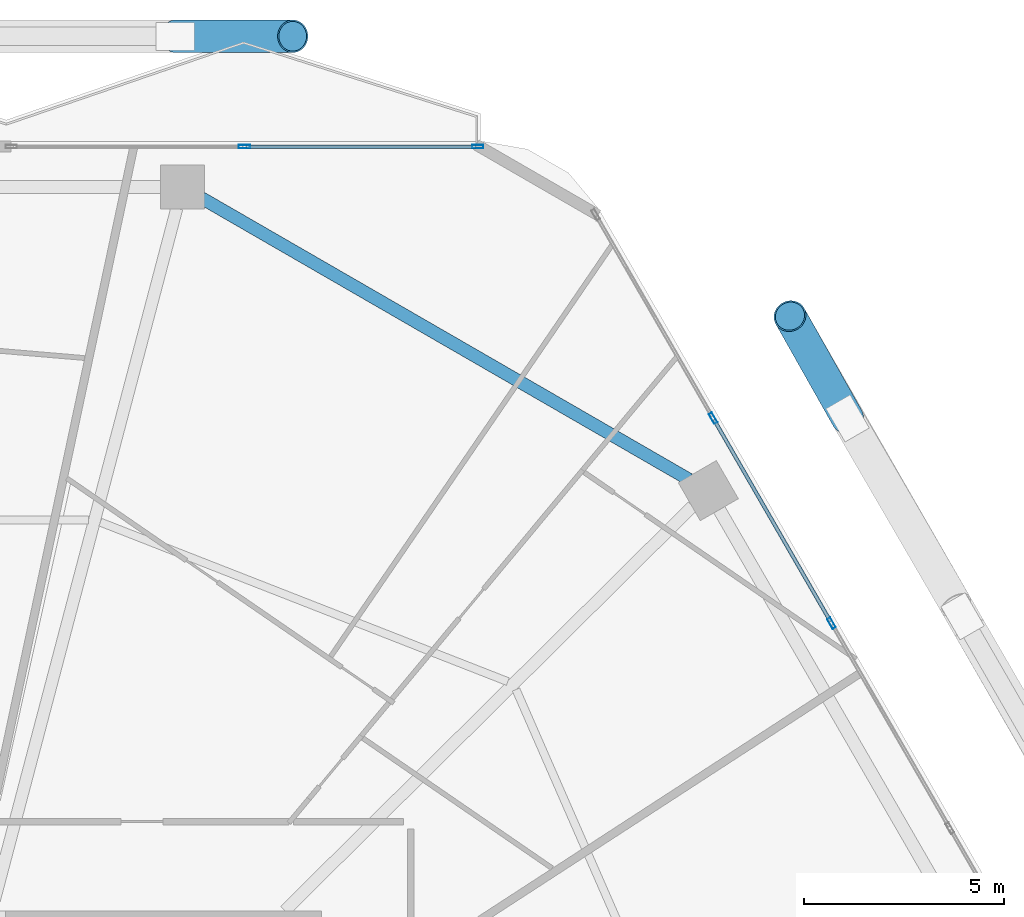
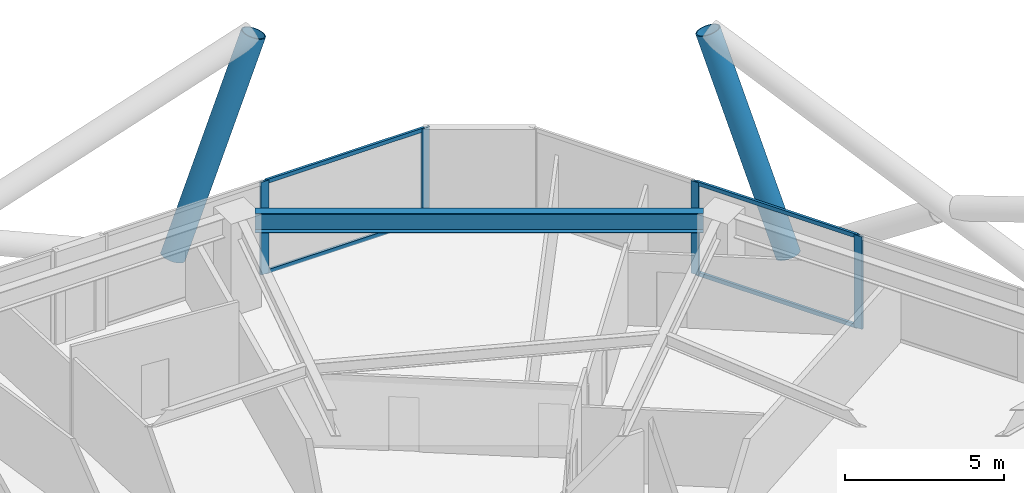
# One storey, part 23 of 35: 10 members, 1 beam, 2 elements without a shape of their own.
"""IFC4 building model written with IfcOpenShell, lengths in metres."""

import ifcopenshell
import ifcopenshell.guid

model = None  # the IFC model being written
_history = None  # IfcOwnerHistory: only IFC2X3 demands one
_inside = {}  # id of a spatial element -> (the spatial element, [elements in it])
_under = {}  # id of a project, library or spatial element -> (it, [spatial elements below it])
_declared = {}  # id of a project -> (the project, [libraries it declares])
_typed = {}  # id of a type object -> (the type object, [elements of that type])
_made_of = {}  # id of a material, layer set ... -> (it, [elements and type objects made of it])


def new_model(schema):
    """Start an empty IFC model of exactly this schema.

    Asked for "IFC4X3", IfcOpenShell would pick the latest addendum, in which some entities
    have other attributes; the version numbers below select the first issue.
    IFC2X3 requires an IfcOwnerHistory on every rooted entity: one is made here for all.
    """
    global model, _history
    if schema == "IFC4X3":
        model = ifcopenshell.file(schema_version=(4, 3, 0, 0))
    else:
        model = ifcopenshell.file(schema=schema)
    _inside.clear()
    _under.clear()
    _declared.clear()
    _typed.clear()
    _made_of.clear()
    _history = None
    if model.schema == "IFC2X3":
        org = make("IfcOrganization", Name="unknown")
        user = make(
            "IfcPersonAndOrganization",
            ThePerson=make("IfcPerson", FamilyName="unknown"),
            TheOrganization=org,
        )
        app = make(
            "IfcApplication",
            ApplicationDeveloper=org,
            Version="unknown",
            ApplicationFullName="unknown",
            ApplicationIdentifier="unknown",
        )
        _history = make(
            "IfcOwnerHistory",
            OwningUser=user,
            OwningApplication=app,
            ChangeAction="ADDED",
            CreationDate=0,
        )
    return model


def make(cls, **values):
    """One entity of the class cls with the attributes given. An attribute that is None is left unset."""
    return model.create_entity(
        cls, **{name: value for name, value in values.items() if value is not None}
    )


def rooted(cls, **values):
    """An entity with a GlobalId (a new one), such as an element, a storey or a relation."""
    return make(cls, GlobalId=ifcopenshell.guid.new(), OwnerHistory=_history, **values)


def si_unit(unit_type, name, prefix=None):
    """IfcSIUnit, for example si_unit("LENGTHUNIT", "METRE", prefix="MILLI")."""
    return make("IfcSIUnit", UnitType=unit_type, Prefix=prefix, Name=name)


def assignment(units):
    """IfcUnitAssignment: the units of a project."""
    return None if units is None else make("IfcUnitAssignment", Units=units)


def point(xyz):
    """IfcCartesianPoint."""
    return None if xyz is None else make("IfcCartesianPoint", Coordinates=xyz)


def direction(xyz):
    """IfcDirection."""
    return None if xyz is None else make("IfcDirection", DirectionRatios=xyz)


def frame(location, z_axis=None, x_axis=None):
    """IfcAxis2Placement3D, a coordinate frame: its origin and axes. An axis left out is left unset."""
    return make(
        "IfcAxis2Placement3D",
        Location=point(location),
        Axis=direction(z_axis),
        RefDirection=direction(x_axis),
    )


def frame_2d(location, x_axis=None):
    """IfcAxis2Placement2D, a coordinate frame in the plane: its origin and x axis."""
    return make(
        "IfcAxis2Placement2D", Location=point(location), RefDirection=direction(x_axis)
    )


def origin():
    """The frame at (0, 0, 0) with its axes left unset."""
    return frame((0.0, 0.0, 0.0))


def origin_2d():
    """The frame at (0, 0) in the plane with its x axis left unset."""
    return frame_2d((0.0, 0.0))


def place(relative_to, where):
    """IfcLocalPlacement: puts the frame where relative to a parent placement (None: the world)."""
    return make(
        "IfcLocalPlacement", PlacementRelTo=relative_to, RelativePlacement=where
    )


def context(
    kind, dimensions, precision=None, world=None, true_north=None, identifier=None
):
    """IfcGeometricRepresentationContext, for example the 3D "Model" context."""
    return make(
        "IfcGeometricRepresentationContext",
        ContextIdentifier=identifier,
        ContextType=kind,
        CoordinateSpaceDimension=dimensions,
        Precision=precision,
        WorldCoordinateSystem=world,
        TrueNorth=true_north,
    )


def subcontext(parent, identifier, kind, view, scale=None):
    """IfcGeometricRepresentationSubContext, for example "Body" below "Model"."""
    return make(
        "IfcGeometricRepresentationSubContext",
        ContextIdentifier=identifier,
        ContextType=kind,
        ParentContext=parent,
        TargetScale=scale,
        TargetView=view,
    )


def project(units=None, contexts=None):
    """IfcProject with its units and contexts."""
    return rooted(
        "IfcProject",
        Name="project",
        RepresentationContexts=contexts,
        UnitsInContext=assignment(units),
    )


def spatial(cls, under=None, at=None, **own):
    """A site, building, storey or space (cls), placed at a placement, below another one or the project."""
    s = rooted(cls, ObjectPlacement=at, **own)
    if under is not None:
        _under.setdefault(under.id(), (under, []))[1].append(s)
    return s


def profile(cls, at=None, kind="AREA", **sizes):
    """A parametric profile (cls). Its sizes go by their IFC names, for example OverallWidth=200.0."""
    return make(cls, ProfileType=kind, Position=at, **sizes)


def hollow_rectangle(**sizes):
    """IfcRectangleHollowProfileDef."""
    return profile("IfcRectangleHollowProfileDef", **sizes)


def hollow_circle(**sizes):
    """IfcCircleHollowProfileDef."""
    return profile("IfcCircleHollowProfileDef", **sizes)


def i_section(**sizes):
    """IfcIShapeProfileDef."""
    return profile("IfcIShapeProfileDef", **sizes)


def extrude(swept, where, along, depth):
    """IfcExtrudedAreaSolid: the profile swept, set in the frame where, extruded along a direction by depth."""
    return make(
        "IfcExtrudedAreaSolid",
        SweptArea=swept,
        Position=where,
        ExtrudedDirection=direction(along),
        Depth=depth,
    )


def shape(context_of_items, identifier, shape_type, items):
    """IfcShapeRepresentation: the items that make up one representation, for example the "Body"."""
    return make(
        "IfcShapeRepresentation",
        ContextOfItems=context_of_items,
        RepresentationIdentifier=identifier,
        RepresentationType=shape_type,
        Items=items,
    )


def material(Name=None, Category=None):
    """IfcMaterial."""
    return make("IfcMaterial", Name=Name, Category=Category)


def material_profile(
    of_material, cross_section, Name=None, Category=None, Priority=None
):
    """IfcMaterialProfile: a cross section and its material."""
    return make(
        "IfcMaterialProfile",
        Name=Name,
        Material=of_material,
        Profile=cross_section,
        Priority=Priority,
        Category=Category,
    )


def profile_set(profiles, Name=None, composite=None):
    """IfcMaterialProfileSet."""
    return make(
        "IfcMaterialProfileSet",
        Name=Name,
        MaterialProfiles=profiles,
        CompositeProfile=composite,
    )


def made_of(thing, what):
    """Note that an element or type object is made of a material, layer set ...; save() writes the relation."""
    if what is not None:
        _made_of.setdefault(what.id(), (what, []))[1].append(thing)
    return thing


def type_object(cls, material=None, **own):
    """A type object (cls), such as IfcWallType, which elements share."""
    return made_of(rooted(cls, **own), material)


def element(
    cls,
    number,
    at=None,
    inside=None,
    cuts=None,
    type_object=None,
    material=None,
    context=None,
    identifier="Body",
    shape_type=None,
    held_by="IfcProductDefinitionShape",
    body=None,
    shapes=None,
    **own,
):
    """One element of the class cls, such as IfcWall. Its Tag is "e" and its number.

    at: its placement. inside: the storey or other place that contains it. cuts: it is an
    opening in that element (IfcRelVoidsElement). A single representation is given by context,
    identifier, shape_type and body (its items); several are given by shapes. held_by: the class
    of the entity that holds the representations. save() writes the other relations.
    """
    e = rooted(cls, Tag="e%d" % number, ObjectPlacement=at, **own)
    if body is not None:
        shapes = [shape(context, identifier, shape_type, body)]
    if shapes is not None:
        e.Representation = make(held_by, Representations=shapes)
    if inside is not None:
        _inside.setdefault(inside.id(), (inside, []))[1].append(e)
    if cuts is not None:
        rooted(
            "IfcRelVoidsElement", RelatingBuildingElement=cuts, RelatedOpeningElement=e
        )
    if type_object is not None:
        _typed.setdefault(type_object.id(), (type_object, []))[1].append(e)
    return made_of(e, material)


def aggregate(whole, parts):
    """IfcRelAggregates: a whole, such as a stair, and the parts it consists of."""
    return rooted("IfcRelAggregates", RelatingObject=whole, RelatedObjects=parts)


def save(model, path):
    """Write the relations noted so far, then the file.

    IfcRelAggregates (storeys below a building ...), IfcRelContainedInSpatialStructure (elements
    in a storey), IfcRelDefinesByType, IfcRelAssociatesMaterial and IfcRelDeclares: one each for
    every whole, place, type object, material and project.
    """
    for whole, parts in _under.values():
        aggregate(whole, parts)
    for where, things in _inside.values():
        rooted(
            "IfcRelContainedInSpatialStructure",
            RelatedElements=things,
            RelatingStructure=where,
        )
    for kind, things in _typed.values():
        rooted("IfcRelDefinesByType", RelatedObjects=things, RelatingType=kind)
    for what, things in _made_of.values():
        rooted("IfcRelAssociatesMaterial", RelatedObjects=things, RelatingMaterial=what)
    for by, libraries in _declared.values():
        rooted("IfcRelDeclares", RelatingContext=by, RelatedDefinitions=libraries)
    model.write(path)


model = new_model("IFC4")

# Units and contexts
model_context = context("Model", 3, precision=1e-05, world=origin(), true_north=direction((0.0, 1.0)))
body_context = subcontext(model_context, "Body", "Model", "MODEL_VIEW")
ifc_project = project(units=[si_unit("LENGTHUNIT", "METRE"), si_unit("AREAUNIT", "SQUARE_METRE"), si_unit("VOLUMEUNIT", "CUBIC_METRE"), si_unit("PLANEANGLEUNIT", "RADIAN"), si_unit("MASSUNIT", "GRAM", prefix="KILO")], contexts=[model_context])

# Site, building, storey
site_placement = place(None, origin())
site = spatial("IfcSite", under=ifc_project, at=site_placement, CompositionType="ELEMENT")
building_placement = place(site_placement, origin())
building = spatial("IfcBuilding", under=site, at=building_placement, Name="Zuhravey Tower", CompositionType="ELEMENT")
storey_placement = place(building_placement, frame((0.0, 0.0, 115.199951171875)))
storey = spatial("IfcBuildingStorey", under=building, at=storey_placement, Name="L28", CompositionType="ELEMENT", Elevation=115.199951171875)

# Curtain wall, members
ifc_material_1 = material(Name="Thermally broken anodised aluminium", Category="aluminium")
curtain_wall_type = type_object("IfcCurtainWallType", Name="Zone 1-2 Residential Curtain Wall CW3", PredefinedType="NOTDEFINED", material=ifc_material_1)
curtain_wall_1_placement = place(storey_placement, origin())
curtain_wall_1 = element("IfcCurtainWall", 1, at=curtain_wall_1_placement, inside=storey, type_object=curtain_wall_type, Name="L28 CW3 CW-L28-F2-2", PredefinedType="NOTDEFINED")
ifc_material_2 = material(Name="Anodised aluminium", Category="aluminium")
ifc_material_profile_1 = material_profile(ifc_material_2, hollow_rectangle(XDim=0.090087890625, YDim=0.284912109375, WallThickness=0.0048828125, at=origin_2d()), Name="ALU-RHS-90x285x5")
ifc_profile_set_1 = profile_set([ifc_material_profile_1], Name="Anodised aluminium")
member_type_1 = type_object("IfcMemberType", Name="Curtain-Wall Mullion 90x180", PredefinedType="MULLION", material=ifc_profile_set_1)
member_1_placement = place(storey_placement, frame((44.921630859375, 60.95849609375, 0.0), z_axis=(0.0, 0.0, 1.0), x_axis=(0.0, 1.0, 0.0)))
member_1 = element("IfcMember", 2, at=member_1_placement, type_object=member_type_1, Name="CW3 mullion 2", PredefinedType="MULLION", context=body_context, shape_type="SweptSolid", body=[
    extrude(hollow_rectangle(XDim=0.090087890625, YDim=0.284912109375, WallThickness=0.0048828125, at=origin_2d()), origin(), (0.0, 0.0, 1.0), 3.550048828125),
])
member_2_placement = place(storey_placement, frame((50.75439453125, 60.95849609375, 0.0), z_axis=(0.0, 0.0, 1.0), x_axis=(0.0, 1.0, 0.0)))
member_2 = element("IfcMember", 3, at=member_2_placement, type_object=member_type_1, Name="CW3 mullion 3", PredefinedType="MULLION", context=body_context, shape_type="SweptSolid", body=[
    extrude(hollow_rectangle(XDim=0.090087890625, YDim=0.284912109375, WallThickness=0.0048828125, at=origin_2d()), origin(), (0.0, 0.0, 1.0), 3.550048828125),
])

curtain_wall_2_placement = place(storey_placement, origin())
curtain_wall_2 = element("IfcCurtainWall", 4, at=curtain_wall_2_placement, inside=storey, type_object=curtain_wall_type, Name="L28 CW3 CW-L28-F1-1", PredefinedType="NOTDEFINED")
member_3_placement = place(storey_placement, frame((56.638916015625, 54.169189453125, 0.0), z_axis=(0.0, 0.0, 1.0), x_axis=(0.86602552265, 0.499999794119, 0.0)))
member_3 = element("IfcMember", 5, at=member_3_placement, type_object=member_type_1, Name="CW3 mullion 2", PredefinedType="MULLION", context=body_context, shape_type="SweptSolid", body=[
    extrude(hollow_rectangle(XDim=0.090087890625, YDim=0.284912109375, WallThickness=0.0048828125, at=origin_2d()), origin(), (0.0, 0.0, 1.0), 3.550048828125),
])
member_4_placement = place(storey_placement, frame((59.598876953125, 49.04248046875, 0.0), z_axis=(0.0, 0.0, 1.0), x_axis=(0.86602552265, 0.499999794119, 0.0)))
member_4 = element("IfcMember", 6, at=member_4_placement, type_object=member_type_1, Name="CW3 mullion 3", PredefinedType="MULLION", context=body_context, shape_type="SweptSolid", body=[
    extrude(hollow_rectangle(XDim=0.090087890625, YDim=0.284912109375, WallThickness=0.0048828125, at=origin_2d()), origin(), (0.0, 0.0, 1.0), 3.550048828125),
])

# Member
ifc_material_profile_2 = material_profile(ifc_material_2, hollow_rectangle(XDim=0.090087890625, YDim=0.14990234375, WallThickness=0.0048828125, at=origin_2d()), Name="ALU-RHS-90x150x5")
ifc_profile_set_2 = profile_set([ifc_material_profile_2], Name="Anodised aluminium")
member_type_2 = type_object("IfcMemberType", Name="Curtain-Wall Transom 90x150", PredefinedType="USERDEFINED", material=ifc_profile_set_2)
member_5_placement = place(storey_placement, frame((44.966796875, 60.95849609375, 0.045166015625), z_axis=(1.0, 0.0, 0.0), x_axis=(0.0, 1.0, 0.0)))
member_5 = element("IfcMember", 7, at=member_5_placement, type_object=member_type_2, Name="CW3 transom 2.1", ObjectType="TRANSOM", PredefinedType="USERDEFINED", context=body_context, shape_type="SweptSolid", body=[
    extrude(hollow_rectangle(XDim=0.090087890625, YDim=0.14990234375, WallThickness=0.0048828125, at=origin_2d()), origin(), (0.0, 0.0, 1.0), 5.74267578125),
])

member_6_placement = place(storey_placement, frame((44.966796875, 60.95849609375, 3.505126953125), z_axis=(1.0, 0.0, 0.0), x_axis=(0.0, 1.0, 0.0)))
member_6 = element("IfcMember", 8, at=member_6_placement, type_object=member_type_2, Name="CW3 transom 2.2", ObjectType="TRANSOM", PredefinedType="USERDEFINED", context=body_context, shape_type="SweptSolid", body=[
    extrude(hollow_rectangle(XDim=0.090087890625, YDim=0.14990234375, WallThickness=0.0048828125, at=origin_2d()), origin(), (0.0, 0.0, 1.0), 5.74267578125),
])

aggregate(curtain_wall_1, [member_1, member_2, member_5, member_6])

member_7_placement = place(storey_placement, frame((56.661376953125, 54.13037109375, 0.045166015625), z_axis=(0.500012451049, -0.866018215049, 0.0), x_axis=(0.866018215049, 0.500012451049, 0.0)))
member_7 = element("IfcMember", 9, at=member_7_placement, type_object=member_type_2, Name="CW3 transom 2.1", ObjectType="TRANSOM", PredefinedType="USERDEFINED", context=body_context, shape_type="SweptSolid", body=[
    extrude(hollow_rectangle(XDim=0.090087890625, YDim=0.14990234375, WallThickness=0.0048828125, at=origin_2d()), origin(), (0.0, 0.0, 1.0), 5.829833984375),
])

member_8_placement = place(storey_placement, frame((56.661376953125, 54.13037109375, 3.505126953125), z_axis=(0.500012451049, -0.866018215049, 0.0), x_axis=(0.866018215049, 0.500012451049, 0.0)))
member_8 = element("IfcMember", 10, at=member_8_placement, type_object=member_type_2, Name="CW3 transom 2.2", ObjectType="TRANSOM", PredefinedType="USERDEFINED", context=body_context, shape_type="SweptSolid", body=[
    extrude(hollow_rectangle(XDim=0.090087890625, YDim=0.14990234375, WallThickness=0.0048828125, at=origin_2d()), origin(), (0.0, 0.0, 1.0), 5.829833984375),
])

aggregate(curtain_wall_2, [member_3, member_4, member_7, member_8])

# Members
ifc_material_3 = material(Name="Steel SM460", Category="steel")
ifc_material_profile_3 = material_profile(ifc_material_3, hollow_circle(Radius=0.406494140625, WallThickness=0.035888671875, at=origin_2d()), Name="CHS-812.8x36")
ifc_profile_set_3 = profile_set([ifc_material_profile_3], Name="Steel SM460")
member_type_3 = type_object("IfcMemberType", Name="Exoskeleton Zone 1 Diagrid CHS813x36", PredefinedType="BRACE", material=ifc_profile_set_3)
member_9_placement = place(storey_placement, frame((59.997802734375, 54.171630859375, -0.44189453125), z_axis=(-0.177350373779, 0.314566412207, 0.932520679252), x_axis=(-0.871093800556, -0.49111667721, 0.0)))
element("IfcMember", 11, at=member_9_placement, inside=storey, type_object=member_type_3, Name="L28 Face 1 Diagrid Brace 4", PredefinedType="BRACE", context=body_context, shape_type="SweptSolid", body=[
    extrude(hollow_circle(Radius=0.406494140625, WallThickness=0.035888671875, at=origin_2d()), origin(), (0.0, 0.0, 1.0), 8.102783203125),
])
member_10_placement = place(storey_placement, frame((43.202392578125, 63.718505859375, -0.44189453125), z_axis=(0.361092156446, 0.0, 0.932530136003), x_axis=(0.0, 1.0, 0.0)))
element("IfcMember", 12, at=member_10_placement, inside=storey, type_object=member_type_3, Name="L28 Face 2 Diagrid Brace 1", PredefinedType="BRACE", context=body_context, shape_type="SweptSolid", body=[
    extrude(hollow_circle(Radius=0.406494140625, WallThickness=0.035888671875, at=origin_2d()), origin(), (0.0, 0.0, 1.0), 8.1025390625),
])

# Beam
ifc_material_4 = material(Name="Steel SM355", Category="steel")
ifc_material_profile_4 = material_profile(ifc_material_4, i_section(OverallWidth=0.320068359375, OverallDepth=0.75, WebThickness=0.013916015625, FlangeThickness=0.02490234375, at=origin_2d()), Name="H-750x320x14x25")
ifc_profile_set_4 = profile_set([ifc_material_profile_4], Name="Steel SM355")
beam_type = type_object("IfcBeamType", Name="Perimeter Ring Beam H750x320", PredefinedType="BEAM", material=ifc_profile_set_4)
beam_placement = place(storey_placement, frame((56.0400390625, 52.63330078125, 3.175048828125), z_axis=(-0.866017786538, 0.500013193225, 0.0), x_axis=(-0.500013193225, -0.866017786538, 0.0)))
element("IfcBeam", 13, at=beam_placement, inside=storey, type_object=beam_type, Name="L28 PB1 BM-L28-PB-02", PredefinedType="BEAM", context=body_context, shape_type="SweptSolid", body=[
    extrude(i_section(OverallWidth=0.320068359375, OverallDepth=0.75, WebThickness=0.013916015625, FlangeThickness=0.02490234375, at=origin_2d()), origin(), (0.0, 0.0, 1.0), 14.0771484375),
])

save(model, "model.ifc")
